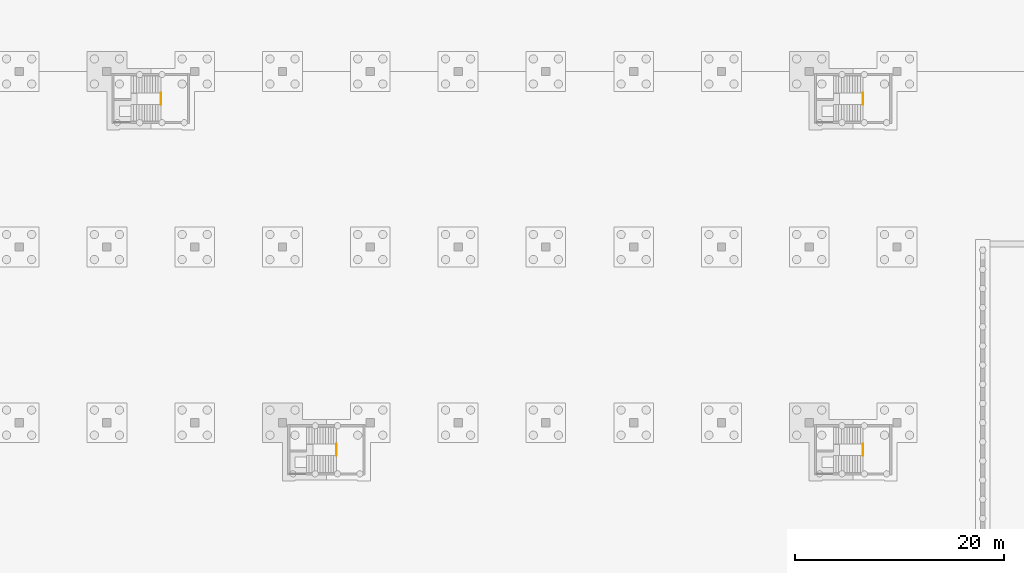
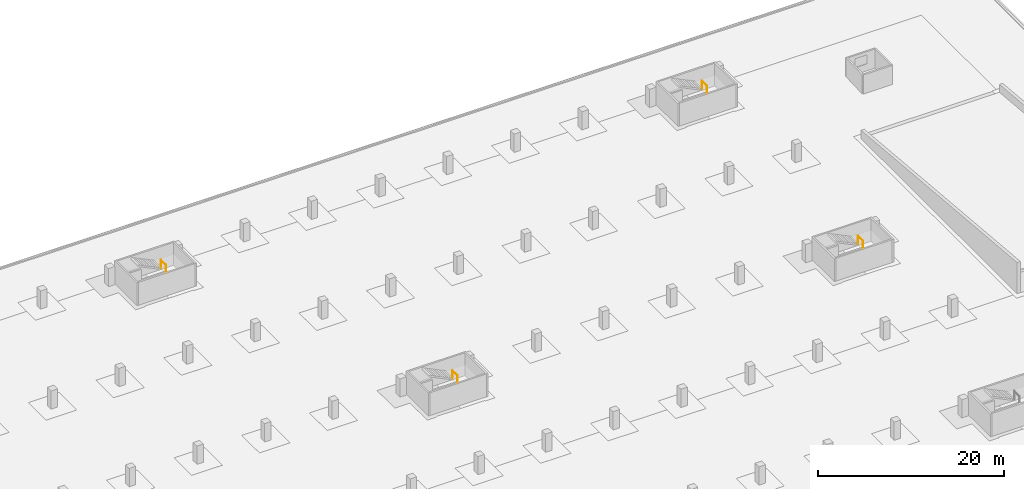
# One storey, part 65 of 67: 4 railings.
"""IFC4 building model written with IfcOpenShell, lengths in metres."""

from ifc_helpers import new_model, si_unit, direction, frame, origin, origin_2d, place, context, subcontext, project, spatial, circle, extrude, material, type_object, element, save


model = new_model("IFC4")

# Units and contexts
model_context = context("Model", 3, precision=1e-05, world=origin(), true_north=direction((0.0, 1.0)))
body_context = subcontext(model_context, "Body", "Model", "MODEL_VIEW")
ifc_project = project(units=[si_unit("LENGTHUNIT", "METRE"), si_unit("AREAUNIT", "SQUARE_METRE"), si_unit("VOLUMEUNIT", "CUBIC_METRE"), si_unit("PLANEANGLEUNIT", "RADIAN"), si_unit("MASSUNIT", "GRAM", prefix="KILO")], contexts=[model_context])

# Site, building, storey
site_placement = place(None, origin())
site = spatial("IfcSite", under=ifc_project, at=site_placement, CompositionType="ELEMENT")
building_placement = place(site_placement, origin())
building = spatial("IfcBuilding", under=site, at=building_placement, Name="Rain Tree Exposition and Congress Centre", CompositionType="ELEMENT")
storey_placement = place(building_placement, frame((0.0, 0.0, -3.0)))
storey = spatial("IfcBuildingStorey", under=building, at=storey_placement, Name="B1", CompositionType="ELEMENT", Elevation=-3.0)

# Railings
ifc_material = material(Name="Stainless steel", Category="steel")
railing_type = type_object("IfcRailingType", Name="Guard 1100 stainless", PredefinedType="GUARDRAIL", material=ifc_material)
for number, where, name in (
    (1, (189.9599609375, 248.85009765625, 1.5), "Exit stair N07 well guard"),
    (2, (240.360107421875, 248.85009765625, 1.5), "Exit stair N08 well guard"),
):
    element("IfcRailing", number, at=place(storey_placement, frame(where)), inside=storey, type_object=railing_type, Name=name, PredefinedType="GUARDRAIL", context=body_context, shape_type="SweptSolid", body=[
        extrude(circle(Radius=0.02490234375, at=origin_2d()), frame((0.0, 0.0, 1.0751953125), z_axis=(0.0, 1.0, 0.0), x_axis=(-1.0, 0.0, 0.0)), (0.0, 0.0, 1.0), 1.099853515625),
        extrude(circle(Radius=0.02490234375, at=origin_2d()), origin(), (0.0, 0.0, 1.0), 1.050048828125),
        extrude(circle(Radius=0.02490234375, at=origin_2d()), frame((0.0, 1.099853515625, 0.0)), (0.0, 0.0, 1.0), 1.050048828125),
    ])
for number, where, name in (
    (3, (173.159912109375, 282.449951171875, 1.5), "Exit stair N11 well guard"),
    (4, (240.360107421875, 282.449951171875, 1.5), "Exit stair N12 well guard"),
):
    element("IfcRailing", number, at=place(storey_placement, frame(where)), inside=storey, type_object=railing_type, Name=name, PredefinedType="GUARDRAIL", context=body_context, shape_type="SweptSolid", body=[
        extrude(circle(Radius=0.02490234375, at=origin_2d()), frame((0.0, 0.0, 1.0751953125), z_axis=(0.0, 1.0, 0.0), x_axis=(-1.0, 0.0, 0.0)), (0.0, 0.0, 1.0), 1.10009765625),
        extrude(circle(Radius=0.02490234375, at=origin_2d()), origin(), (0.0, 0.0, 1.0), 1.050048828125),
        extrude(circle(Radius=0.02490234375, at=origin_2d()), frame((0.0, 1.10009765625, 0.0)), (0.0, 0.0, 1.0), 1.050048828125),
    ])

save(model, "model.ifc")
